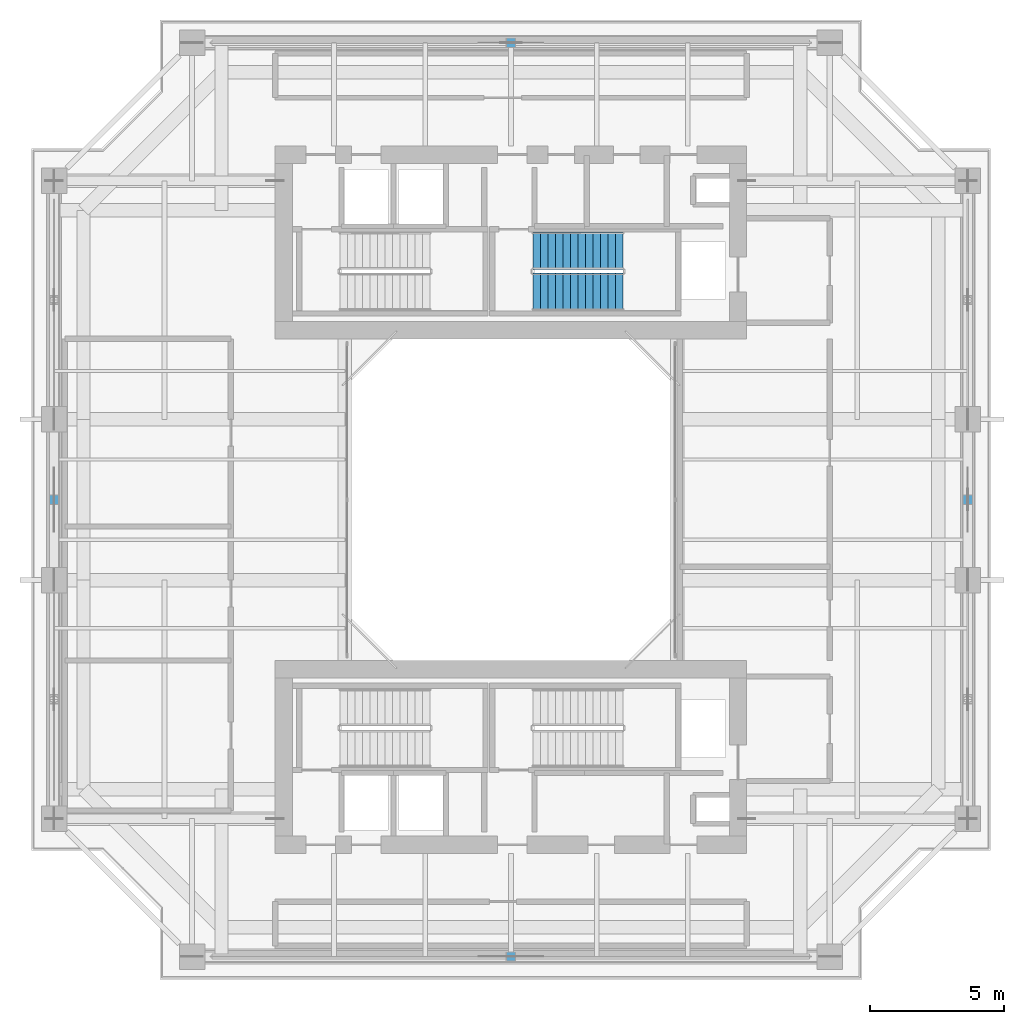
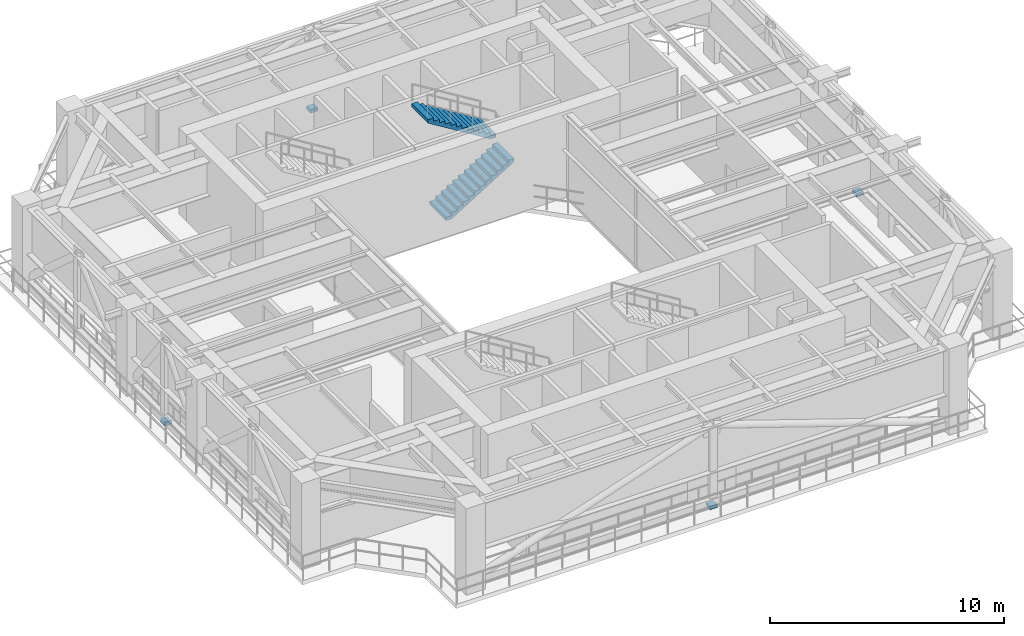
# One storey, part 8 of 11: 4 discrete accessories, 2 stair flights, 1 element without a shape of its own.
"""IFC4 building model written with IfcOpenShell, lengths in metres."""

import ifcopenshell
import ifcopenshell.guid

model = None  # the IFC model being written
_history = None  # IfcOwnerHistory: only IFC2X3 demands one
_inside = {}  # id of a spatial element -> (the spatial element, [elements in it])
_under = {}  # id of a project, library or spatial element -> (it, [spatial elements below it])
_declared = {}  # id of a project -> (the project, [libraries it declares])
_typed = {}  # id of a type object -> (the type object, [elements of that type])
_made_of = {}  # id of a material, layer set ... -> (it, [elements and type objects made of it])


def new_model(schema):
    """Start an empty IFC model of exactly this schema.

    Asked for "IFC4X3", IfcOpenShell would pick the latest addendum, in which some entities
    have other attributes; the version numbers below select the first issue.
    IFC2X3 requires an IfcOwnerHistory on every rooted entity: one is made here for all.
    """
    global model, _history
    if schema == "IFC4X3":
        model = ifcopenshell.file(schema_version=(4, 3, 0, 0))
    else:
        model = ifcopenshell.file(schema=schema)
    _inside.clear()
    _under.clear()
    _declared.clear()
    _typed.clear()
    _made_of.clear()
    _history = None
    if model.schema == "IFC2X3":
        org = make("IfcOrganization", Name="unknown")
        user = make(
            "IfcPersonAndOrganization",
            ThePerson=make("IfcPerson", FamilyName="unknown"),
            TheOrganization=org,
        )
        app = make(
            "IfcApplication",
            ApplicationDeveloper=org,
            Version="unknown",
            ApplicationFullName="unknown",
            ApplicationIdentifier="unknown",
        )
        _history = make(
            "IfcOwnerHistory",
            OwningUser=user,
            OwningApplication=app,
            ChangeAction="ADDED",
            CreationDate=0,
        )
    return model


def make(cls, **values):
    """One entity of the class cls with the attributes given. An attribute that is None is left unset."""
    return model.create_entity(
        cls, **{name: value for name, value in values.items() if value is not None}
    )


def rooted(cls, **values):
    """An entity with a GlobalId (a new one), such as an element, a storey or a relation."""
    return make(cls, GlobalId=ifcopenshell.guid.new(), OwnerHistory=_history, **values)


def si_unit(unit_type, name, prefix=None):
    """IfcSIUnit, for example si_unit("LENGTHUNIT", "METRE", prefix="MILLI")."""
    return make("IfcSIUnit", UnitType=unit_type, Prefix=prefix, Name=name)


def assignment(units):
    """IfcUnitAssignment: the units of a project."""
    return None if units is None else make("IfcUnitAssignment", Units=units)


def point(xyz):
    """IfcCartesianPoint."""
    return None if xyz is None else make("IfcCartesianPoint", Coordinates=xyz)


def direction(xyz):
    """IfcDirection."""
    return None if xyz is None else make("IfcDirection", DirectionRatios=xyz)


def frame(location, z_axis=None, x_axis=None):
    """IfcAxis2Placement3D, a coordinate frame: its origin and axes. An axis left out is left unset."""
    return make(
        "IfcAxis2Placement3D",
        Location=point(location),
        Axis=direction(z_axis),
        RefDirection=direction(x_axis),
    )


def frame_2d(location, x_axis=None):
    """IfcAxis2Placement2D, a coordinate frame in the plane: its origin and x axis."""
    return make(
        "IfcAxis2Placement2D", Location=point(location), RefDirection=direction(x_axis)
    )


def origin():
    """The frame at (0, 0, 0) with its axes left unset."""
    return frame((0.0, 0.0, 0.0))


def origin_2d():
    """The frame at (0, 0) in the plane with its x axis left unset."""
    return frame_2d((0.0, 0.0))


def place(relative_to, where):
    """IfcLocalPlacement: puts the frame where relative to a parent placement (None: the world)."""
    return make(
        "IfcLocalPlacement", PlacementRelTo=relative_to, RelativePlacement=where
    )


def context(
    kind, dimensions, precision=None, world=None, true_north=None, identifier=None
):
    """IfcGeometricRepresentationContext, for example the 3D "Model" context."""
    return make(
        "IfcGeometricRepresentationContext",
        ContextIdentifier=identifier,
        ContextType=kind,
        CoordinateSpaceDimension=dimensions,
        Precision=precision,
        WorldCoordinateSystem=world,
        TrueNorth=true_north,
    )


def subcontext(parent, identifier, kind, view, scale=None):
    """IfcGeometricRepresentationSubContext, for example "Body" below "Model"."""
    return make(
        "IfcGeometricRepresentationSubContext",
        ContextIdentifier=identifier,
        ContextType=kind,
        ParentContext=parent,
        TargetScale=scale,
        TargetView=view,
    )


def project(units=None, contexts=None):
    """IfcProject with its units and contexts."""
    return rooted(
        "IfcProject",
        Name="project",
        RepresentationContexts=contexts,
        UnitsInContext=assignment(units),
    )


def spatial(cls, under=None, at=None, **own):
    """A site, building, storey or space (cls), placed at a placement, below another one or the project."""
    s = rooted(cls, ObjectPlacement=at, **own)
    if under is not None:
        _under.setdefault(under.id(), (under, []))[1].append(s)
    return s


def polyline(points):
    """IfcPolyline through the points."""
    return make("IfcPolyline", Points=[point(p) for p in points])


def profile(cls, at=None, kind="AREA", **sizes):
    """A parametric profile (cls). Its sizes go by their IFC names, for example OverallWidth=200.0."""
    return make(cls, ProfileType=kind, Position=at, **sizes)


def rectangle(**sizes):
    """IfcRectangleProfileDef."""
    return profile("IfcRectangleProfileDef", **sizes)


def outline(outer, holes=None, kind="AREA"):
    """IfcArbitraryClosedProfileDef: a profile drawn as a closed curve; with holes, ...WithVoids."""
    if holes is None:
        return make("IfcArbitraryClosedProfileDef", ProfileType=kind, OuterCurve=outer)
    return make(
        "IfcArbitraryProfileDefWithVoids",
        ProfileType=kind,
        OuterCurve=outer,
        InnerCurves=holes,
    )


def extrude(swept, where, along, depth):
    """IfcExtrudedAreaSolid: the profile swept, set in the frame where, extruded along a direction by depth."""
    return make(
        "IfcExtrudedAreaSolid",
        SweptArea=swept,
        Position=where,
        ExtrudedDirection=direction(along),
        Depth=depth,
    )


def shape(context_of_items, identifier, shape_type, items):
    """IfcShapeRepresentation: the items that make up one representation, for example the "Body"."""
    return make(
        "IfcShapeRepresentation",
        ContextOfItems=context_of_items,
        RepresentationIdentifier=identifier,
        RepresentationType=shape_type,
        Items=items,
    )


def source(mapping_origin, context_of_items, identifier, shape_type, items):
    """IfcRepresentationMap: a shape defined once, which mapped items show again and again."""
    return make(
        "IfcRepresentationMap",
        MappingOrigin=mapping_origin,
        MappedRepresentation=shape(context_of_items, identifier, shape_type, items),
    )


def transform(
    local_origin,
    x_axis=None,
    y_axis=None,
    z_axis=None,
    scale=None,
    scale2=None,
    scale3=None,
    uniform=True,
):
    """IfcCartesianTransformationOperator3D, or its non-uniform kind. x_axis, y_axis, z_axis: its Axis1, 2, 3."""
    if uniform:
        return make(
            "IfcCartesianTransformationOperator3D",
            Axis1=direction(x_axis),
            Axis2=direction(y_axis),
            LocalOrigin=point(local_origin),
            Scale=scale,
            Axis3=direction(z_axis),
        )
    return make(
        "IfcCartesianTransformationOperator3DnonUniform",
        Axis1=direction(x_axis),
        Axis2=direction(y_axis),
        LocalOrigin=point(local_origin),
        Scale=scale,
        Axis3=direction(z_axis),
        Scale2=scale2,
        Scale3=scale3,
    )


def mapped(mapping_source, mapping_target):
    """IfcMappedItem: shows the shape of a source again, moved by a transform."""
    return make(
        "IfcMappedItem", MappingSource=mapping_source, MappingTarget=mapping_target
    )


def material(Name=None, Category=None):
    """IfcMaterial."""
    return make("IfcMaterial", Name=Name, Category=Category)


def made_of(thing, what):
    """Note that an element or type object is made of a material, layer set ...; save() writes the relation."""
    if what is not None:
        _made_of.setdefault(what.id(), (what, []))[1].append(thing)
    return thing


def type_object(cls, material=None, **own):
    """A type object (cls), such as IfcWallType, which elements share."""
    return made_of(rooted(cls, **own), material)


def element(
    cls,
    number,
    at=None,
    inside=None,
    cuts=None,
    type_object=None,
    material=None,
    context=None,
    identifier="Body",
    shape_type=None,
    held_by="IfcProductDefinitionShape",
    body=None,
    shapes=None,
    **own,
):
    """One element of the class cls, such as IfcWall. Its Tag is "e" and its number.

    at: its placement. inside: the storey or other place that contains it. cuts: it is an
    opening in that element (IfcRelVoidsElement). A single representation is given by context,
    identifier, shape_type and body (its items); several are given by shapes. held_by: the class
    of the entity that holds the representations. save() writes the other relations.
    """
    e = rooted(cls, Tag="e%d" % number, ObjectPlacement=at, **own)
    if body is not None:
        shapes = [shape(context, identifier, shape_type, body)]
    if shapes is not None:
        e.Representation = make(held_by, Representations=shapes)
    if inside is not None:
        _inside.setdefault(inside.id(), (inside, []))[1].append(e)
    if cuts is not None:
        rooted(
            "IfcRelVoidsElement", RelatingBuildingElement=cuts, RelatedOpeningElement=e
        )
    if type_object is not None:
        _typed.setdefault(type_object.id(), (type_object, []))[1].append(e)
    return made_of(e, material)


def aggregate(whole, parts):
    """IfcRelAggregates: a whole, such as a stair, and the parts it consists of."""
    return rooted("IfcRelAggregates", RelatingObject=whole, RelatedObjects=parts)


def save(model, path):
    """Write the relations noted so far, then the file.

    IfcRelAggregates (storeys below a building ...), IfcRelContainedInSpatialStructure (elements
    in a storey), IfcRelDefinesByType, IfcRelAssociatesMaterial and IfcRelDeclares: one each for
    every whole, place, type object, material and project.
    """
    for whole, parts in _under.values():
        aggregate(whole, parts)
    for where, things in _inside.values():
        rooted(
            "IfcRelContainedInSpatialStructure",
            RelatedElements=things,
            RelatingStructure=where,
        )
    for kind, things in _typed.values():
        rooted("IfcRelDefinesByType", RelatedObjects=things, RelatingType=kind)
    for what, things in _made_of.values():
        rooted("IfcRelAssociatesMaterial", RelatedObjects=things, RelatingMaterial=what)
    for by, libraries in _declared.values():
        rooted("IfcRelDeclares", RelatingContext=by, RelatedDefinitions=libraries)
    model.write(path)


model = new_model("IFC4")

# Units and contexts
model_context = context("Model", 3, precision=1e-05, world=origin(), true_north=direction((0.0, 1.0)))
body_context = subcontext(model_context, "Body", "Model", "MODEL_VIEW")
ifc_project = project(units=[si_unit("LENGTHUNIT", "METRE"), si_unit("AREAUNIT", "SQUARE_METRE"), si_unit("VOLUMEUNIT", "CUBIC_METRE"), si_unit("PLANEANGLEUNIT", "RADIAN"), si_unit("MASSUNIT", "GRAM", prefix="KILO"), si_unit("THERMODYNAMICTEMPERATUREUNIT", "KELVIN"), si_unit("POWERUNIT", "WATT")], contexts=[model_context])

# Site, building, storey
site_placement = place(None, origin())
site = spatial("IfcSite", under=ifc_project, at=site_placement, CompositionType="ELEMENT")
building_placement = place(site_placement, origin())
building = spatial("IfcBuilding", under=site, at=building_placement, Name="Qiaomeng Ring Towers", CompositionType="ELEMENT")
storey_placement = place(building_placement, frame((0.0, 0.0, 186.0)))
storey = spatial("IfcBuildingStorey", under=building, at=storey_placement, Name="L54", CompositionType="ELEMENT", Elevation=186.0)

# Stair, stair flights
ifc_material_1 = material(Name="Precast concrete C40", Category="concrete")
stair_type = type_object("IfcStairType", Name="ARC-ST-450", PredefinedType="HALF_TURN_STAIR", material=ifc_material_1)
stair_placement = place(storey_placement, origin())
stair = element("IfcStair", 1, at=stair_placement, inside=storey, type_object=stair_type, Name="L54 Tower 1 North Stair 2", PredefinedType="HALF_TURN_STAIR")
stair_flight_type = type_object("IfcStairFlightType", Name="ARC-ST-450-FL", PredefinedType="STRAIGHT", material=ifc_material_1)
shared_shape_1 = source(origin(), body_context, "Body", "SweptSolid", [
    extrude(outline(polyline([(0.0, 0.0), (0.0, 0.173095703125), (0.280029296875, 0.173095703125), (0.280029296875, 0.34619140625), (0.56005859375, 0.34619140625), (0.56005859375, 0.519287109375), (0.840087890625, 0.519287109375), (0.840087890625, 0.6923828125), (1.1201171875, 0.6923828125), (1.1201171875, 0.865478515625), (1.39990234375, 0.865478515625), (1.39990234375, 1.03857421875), (1.679931640625, 1.03857421875), (1.679931640625, 1.21142578125), (1.9599609375, 1.21142578125), (1.9599609375, 1.384521484375), (2.239990234375, 1.384521484375), (2.239990234375, 1.5576171875), (2.52001953125, 1.5576171875), (2.52001953125, 1.730712890625), (2.800048828125, 1.730712890625), (2.800048828125, 1.90380859375), (3.080078125, 1.90380859375), (3.080078125, 2.076904296875), (3.360107421875, 2.076904296875), (3.360107421875, 2.25), (3.360107421875, 1.900634765625), (0.28515625, 0.0), (0.0, 0.0)])), frame((0.0, 0.699951171875, 0.0), z_axis=(0.0, -1.0, 0.0), x_axis=(1.0, 0.0, 0.0)), (0.0, 0.0, 1.0), 1.39990234375),
])
stair_flight_1_placement = place(storey_placement, frame((19.820068359375, 30.75, 0.0), z_axis=(0.0, 0.0, 1.0), x_axis=(1.0, 0.0, 0.0)))
stair_flight_1 = element("IfcStairFlight", 2, at=stair_flight_1_placement, type_object=stair_flight_type, Name="ST2 flight 1", NumberOfRisers=13, NumberOfTreads=12, PredefinedType="STRAIGHT", RiserHeight=0.173076923, TreadLength=0.28, context=body_context, shape_type="MappedRepresentation", body=[
    mapped(shared_shape_1, transform((0.0, 0.0, 0.0), x_axis=(1.0, 0.0, 0.0), y_axis=(0.0, 1.0, 0.0), z_axis=(0.0, 0.0, 1.0), scale=1.0)),
])
stair_flight_2_placement = place(storey_placement, frame((23.179931640625, 32.2900390625, 2.25), z_axis=(0.0, 0.0, 1.0), x_axis=(-1.0, 0.0, 0.0)))
stair_flight_2 = element("IfcStairFlight", 3, at=stair_flight_2_placement, type_object=stair_flight_type, Name="ST2 flight 2", NumberOfRisers=13, NumberOfTreads=12, PredefinedType="STRAIGHT", RiserHeight=0.173076923, TreadLength=0.28, context=body_context, shape_type="MappedRepresentation", body=[
    mapped(shared_shape_1, transform((0.0, 0.0, 0.0), x_axis=(1.0, 0.0, 0.0), y_axis=(0.0, 1.0, 0.0), z_axis=(0.0, 0.0, 1.0), scale=1.0)),
])
aggregate(stair, [stair_flight_1, stair_flight_2])

# Discrete accessories
ifc_material_2 = material(Name="Stainless steel 316", Category="steel")
discrete_accessory_type = type_object("IfcDiscreteAccessoryType", Name="ARC-ACC-BRACKET", PredefinedType="BRACKET", material=ifc_material_2)
shared_shape_2 = source(origin(), body_context, "Body", "SweptSolid", [
    extrude(rectangle(XDim=0.35009765625, YDim=0.35009765625, at=origin_2d()), origin(), (0.0, 0.0, 1.0), 0.179931640625),
])
for number, where, z_axis, x_axis, name in (
    (4, (19.0, 5.949951171875, -0.009765625), (0.0, 0.0, 1.0), (1.0, 0.0, 0.0), "L54 Wind Screen Base Bracket S"),
    (5, (19.0, 40.050048828125, -0.009765625), (0.0, 0.0, 1.0), (-1.0, 0.0, 0.0), "L54 Wind Screen Base Bracket N"),
    (6, (1.949951171875, 23.0, -0.009765625), (0.0, 0.0, 1.0), (0.0, -1.0, 0.0), "L54 Wind Screen Base Bracket W"),
    (7, (36.050048828125, 23.0, -0.009765625), (0.0, 0.0, 1.0), (0.0, 1.0, 0.0), "L54 Wind Screen Base Bracket E"),
):
    element("IfcDiscreteAccessory", number, at=place(storey_placement, frame(where, z_axis=z_axis, x_axis=x_axis)), inside=storey, type_object=discrete_accessory_type, Name=name, PredefinedType="BRACKET", context=body_context, shape_type="MappedRepresentation", body=[
        mapped(shared_shape_2, transform((0.0, 0.0, 0.0), x_axis=(1.0, 0.0, 0.0), y_axis=(0.0, 1.0, 0.0), z_axis=(0.0, 0.0, 1.0), scale=1.0)),
    ])

save(model, "model.ifc")
